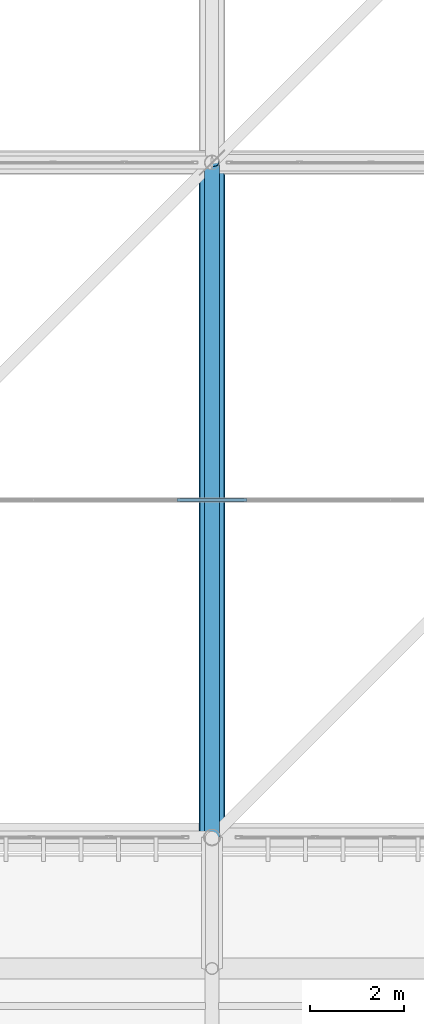
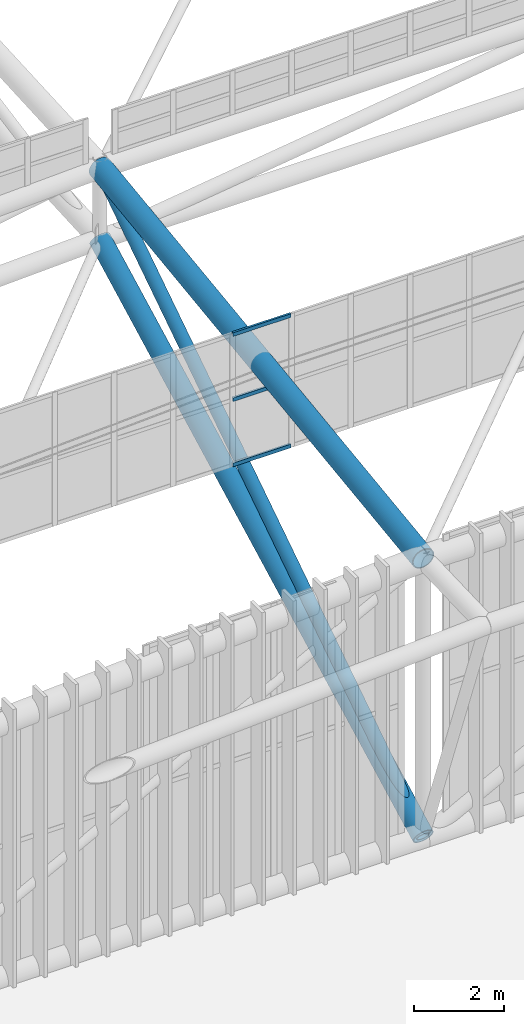
# One storey, part 41 of 397: 4 members, 2 beams, 1 element without a shape of its own.
"""IFC4 building model written with IfcOpenShell, lengths in metres."""

import ifcopenshell
import ifcopenshell.guid

model = None  # the IFC model being written
_history = None  # IfcOwnerHistory: only IFC2X3 demands one
_inside = {}  # id of a spatial element -> (the spatial element, [elements in it])
_under = {}  # id of a project, library or spatial element -> (it, [spatial elements below it])
_declared = {}  # id of a project -> (the project, [libraries it declares])
_typed = {}  # id of a type object -> (the type object, [elements of that type])
_made_of = {}  # id of a material, layer set ... -> (it, [elements and type objects made of it])


def new_model(schema):
    """Start an empty IFC model of exactly this schema.

    Asked for "IFC4X3", IfcOpenShell would pick the latest addendum, in which some entities
    have other attributes; the version numbers below select the first issue.
    IFC2X3 requires an IfcOwnerHistory on every rooted entity: one is made here for all.
    """
    global model, _history
    if schema == "IFC4X3":
        model = ifcopenshell.file(schema_version=(4, 3, 0, 0))
    else:
        model = ifcopenshell.file(schema=schema)
    _inside.clear()
    _under.clear()
    _declared.clear()
    _typed.clear()
    _made_of.clear()
    _history = None
    if model.schema == "IFC2X3":
        org = make("IfcOrganization", Name="unknown")
        user = make(
            "IfcPersonAndOrganization",
            ThePerson=make("IfcPerson", FamilyName="unknown"),
            TheOrganization=org,
        )
        app = make(
            "IfcApplication",
            ApplicationDeveloper=org,
            Version="unknown",
            ApplicationFullName="unknown",
            ApplicationIdentifier="unknown",
        )
        _history = make(
            "IfcOwnerHistory",
            OwningUser=user,
            OwningApplication=app,
            ChangeAction="ADDED",
            CreationDate=0,
        )
    return model


def make(cls, **values):
    """One entity of the class cls with the attributes given. An attribute that is None is left unset."""
    return model.create_entity(
        cls, **{name: value for name, value in values.items() if value is not None}
    )


def rooted(cls, **values):
    """An entity with a GlobalId (a new one), such as an element, a storey or a relation."""
    return make(cls, GlobalId=ifcopenshell.guid.new(), OwnerHistory=_history, **values)


def si_unit(unit_type, name, prefix=None):
    """IfcSIUnit, for example si_unit("LENGTHUNIT", "METRE", prefix="MILLI")."""
    return make("IfcSIUnit", UnitType=unit_type, Prefix=prefix, Name=name)


def assignment(units):
    """IfcUnitAssignment: the units of a project."""
    return None if units is None else make("IfcUnitAssignment", Units=units)


def point(xyz):
    """IfcCartesianPoint."""
    return None if xyz is None else make("IfcCartesianPoint", Coordinates=xyz)


def direction(xyz):
    """IfcDirection."""
    return None if xyz is None else make("IfcDirection", DirectionRatios=xyz)


def frame(location, z_axis=None, x_axis=None):
    """IfcAxis2Placement3D, a coordinate frame: its origin and axes. An axis left out is left unset."""
    return make(
        "IfcAxis2Placement3D",
        Location=point(location),
        Axis=direction(z_axis),
        RefDirection=direction(x_axis),
    )


def frame_2d(location, x_axis=None):
    """IfcAxis2Placement2D, a coordinate frame in the plane: its origin and x axis."""
    return make(
        "IfcAxis2Placement2D", Location=point(location), RefDirection=direction(x_axis)
    )


def origin():
    """The frame at (0, 0, 0) with its axes left unset."""
    return frame((0.0, 0.0, 0.0))


def origin_2d():
    """The frame at (0, 0) in the plane with its x axis left unset."""
    return frame_2d((0.0, 0.0))


def place(relative_to, where):
    """IfcLocalPlacement: puts the frame where relative to a parent placement (None: the world)."""
    return make(
        "IfcLocalPlacement", PlacementRelTo=relative_to, RelativePlacement=where
    )


def context(
    kind, dimensions, precision=None, world=None, true_north=None, identifier=None
):
    """IfcGeometricRepresentationContext, for example the 3D "Model" context."""
    return make(
        "IfcGeometricRepresentationContext",
        ContextIdentifier=identifier,
        ContextType=kind,
        CoordinateSpaceDimension=dimensions,
        Precision=precision,
        WorldCoordinateSystem=world,
        TrueNorth=true_north,
    )


def subcontext(parent, identifier, kind, view, scale=None):
    """IfcGeometricRepresentationSubContext, for example "Body" below "Model"."""
    return make(
        "IfcGeometricRepresentationSubContext",
        ContextIdentifier=identifier,
        ContextType=kind,
        ParentContext=parent,
        TargetScale=scale,
        TargetView=view,
    )


def project(units=None, contexts=None):
    """IfcProject with its units and contexts."""
    return rooted(
        "IfcProject",
        Name="project",
        RepresentationContexts=contexts,
        UnitsInContext=assignment(units),
    )


def spatial(cls, under=None, at=None, **own):
    """A site, building, storey or space (cls), placed at a placement, below another one or the project."""
    s = rooted(cls, ObjectPlacement=at, **own)
    if under is not None:
        _under.setdefault(under.id(), (under, []))[1].append(s)
    return s


def profile(cls, at=None, kind="AREA", **sizes):
    """A parametric profile (cls). Its sizes go by their IFC names, for example OverallWidth=200.0."""
    return make(cls, ProfileType=kind, Position=at, **sizes)


def hollow_rectangle(**sizes):
    """IfcRectangleHollowProfileDef."""
    return profile("IfcRectangleHollowProfileDef", **sizes)


def hollow_circle(**sizes):
    """IfcCircleHollowProfileDef."""
    return profile("IfcCircleHollowProfileDef", **sizes)


def extrude(swept, where, along, depth):
    """IfcExtrudedAreaSolid: the profile swept, set in the frame where, extruded along a direction by depth."""
    return make(
        "IfcExtrudedAreaSolid",
        SweptArea=swept,
        Position=where,
        ExtrudedDirection=direction(along),
        Depth=depth,
    )


def shape(context_of_items, identifier, shape_type, items):
    """IfcShapeRepresentation: the items that make up one representation, for example the "Body"."""
    return make(
        "IfcShapeRepresentation",
        ContextOfItems=context_of_items,
        RepresentationIdentifier=identifier,
        RepresentationType=shape_type,
        Items=items,
    )


def material(Name=None, Category=None):
    """IfcMaterial."""
    return make("IfcMaterial", Name=Name, Category=Category)


def material_profile(
    of_material, cross_section, Name=None, Category=None, Priority=None
):
    """IfcMaterialProfile: a cross section and its material."""
    return make(
        "IfcMaterialProfile",
        Name=Name,
        Material=of_material,
        Profile=cross_section,
        Priority=Priority,
        Category=Category,
    )


def profile_set(profiles, Name=None, composite=None):
    """IfcMaterialProfileSet."""
    return make(
        "IfcMaterialProfileSet",
        Name=Name,
        MaterialProfiles=profiles,
        CompositeProfile=composite,
    )


def made_of(thing, what):
    """Note that an element or type object is made of a material, layer set ...; save() writes the relation."""
    if what is not None:
        _made_of.setdefault(what.id(), (what, []))[1].append(thing)
    return thing


def type_object(cls, material=None, **own):
    """A type object (cls), such as IfcWallType, which elements share."""
    return made_of(rooted(cls, **own), material)


def element(
    cls,
    number,
    at=None,
    inside=None,
    cuts=None,
    type_object=None,
    material=None,
    context=None,
    identifier="Body",
    shape_type=None,
    held_by="IfcProductDefinitionShape",
    body=None,
    shapes=None,
    **own,
):
    """One element of the class cls, such as IfcWall. Its Tag is "e" and its number.

    at: its placement. inside: the storey or other place that contains it. cuts: it is an
    opening in that element (IfcRelVoidsElement). A single representation is given by context,
    identifier, shape_type and body (its items); several are given by shapes. held_by: the class
    of the entity that holds the representations. save() writes the other relations.
    """
    e = rooted(cls, Tag="e%d" % number, ObjectPlacement=at, **own)
    if body is not None:
        shapes = [shape(context, identifier, shape_type, body)]
    if shapes is not None:
        e.Representation = make(held_by, Representations=shapes)
    if inside is not None:
        _inside.setdefault(inside.id(), (inside, []))[1].append(e)
    if cuts is not None:
        rooted(
            "IfcRelVoidsElement", RelatingBuildingElement=cuts, RelatedOpeningElement=e
        )
    if type_object is not None:
        _typed.setdefault(type_object.id(), (type_object, []))[1].append(e)
    return made_of(e, material)


def aggregate(whole, parts):
    """IfcRelAggregates: a whole, such as a stair, and the parts it consists of."""
    return rooted("IfcRelAggregates", RelatingObject=whole, RelatedObjects=parts)


def save(model, path):
    """Write the relations noted so far, then the file.

    IfcRelAggregates (storeys below a building ...), IfcRelContainedInSpatialStructure (elements
    in a storey), IfcRelDefinesByType, IfcRelAssociatesMaterial and IfcRelDeclares: one each for
    every whole, place, type object, material and project.
    """
    for whole, parts in _under.values():
        aggregate(whole, parts)
    for where, things in _inside.values():
        rooted(
            "IfcRelContainedInSpatialStructure",
            RelatedElements=things,
            RelatingStructure=where,
        )
    for kind, things in _typed.values():
        rooted("IfcRelDefinesByType", RelatedObjects=things, RelatingType=kind)
    for what, things in _made_of.values():
        rooted("IfcRelAssociatesMaterial", RelatedObjects=things, RelatingMaterial=what)
    for by, libraries in _declared.values():
        rooted("IfcRelDeclares", RelatingContext=by, RelatedDefinitions=libraries)
    model.write(path)


model = new_model("IFC4")

# Units and contexts
model_context = context("Model", 3, precision=1e-05, world=origin(), true_north=direction((0.0, 1.0)))
body_context = subcontext(model_context, "Body", "Model", "MODEL_VIEW")
ifc_project = project(units=[si_unit("LENGTHUNIT", "METRE"), si_unit("AREAUNIT", "SQUARE_METRE"), si_unit("VOLUMEUNIT", "CUBIC_METRE"), si_unit("PLANEANGLEUNIT", "RADIAN"), si_unit("MASSUNIT", "GRAM", prefix="KILO")], contexts=[model_context])

# Site, building, storey
site_placement = place(None, origin())
site = spatial("IfcSite", under=ifc_project, at=site_placement, CompositionType="ELEMENT")
building_placement = place(site_placement, origin())
building = spatial("IfcBuilding", under=site, at=building_placement, Name="Qandorah Velis Arena", CompositionType="ELEMENT")
storey_placement = place(building_placement, frame((0.0, 0.0, 27.5)))
storey = spatial("IfcBuildingStorey", under=building, at=storey_placement, Name="RF", CompositionType="ELEMENT", Elevation=27.5)

# Curtain wall, members
ifc_material_1 = material(Name="Solar-control low-E double glazing", Category="glass")
curtain_wall_type = type_object("IfcCurtainWallType", Name="ARC-CW-SYS21", PredefinedType="USERDEFINED", material=ifc_material_1)
curtain_wall_placement = place(storey_placement, origin())
curtain_wall = element("IfcCurtainWall", 1, at=curtain_wall_placement, inside=storey, type_object=curtain_wall_type, Name="Unitised curtain wall MON-3-3", ObjectType="UNITISED CURTAIN WALL", PredefinedType="USERDEFINED")
ifc_material_2 = material(Name="Champagne-bronze anodized aluminium 6063-T6", Category="aluminium")
ifc_material_profile_1 = material_profile(ifc_material_2, hollow_rectangle(XDim=0.054931640625, YDim=0.10009765625, WallThickness=0.0029296875, at=origin_2d()), Name="ALU TRANSOM 55x100")
ifc_profile_set_1 = profile_set([ifc_material_profile_1], Name="Champagne-bronze anodized aluminium 6063-T6")
member_type_1 = type_object("IfcMemberType", Name="ARC-CWT-100", PredefinedType="USERDEFINED", material=ifc_profile_set_1)
member_1_placement = place(storey_placement, frame((56.8544921875, 21.60009765625, 6.107177734375), z_axis=(1.0, 0.0, 0.0), x_axis=(0.0, 1.0, 0.0)))
member_1 = element("IfcMember", 2, at=member_1_placement, type_object=member_type_1, Name="CW21 transom 5.1", ObjectType="TRANSOM", PredefinedType="USERDEFINED", context=body_context, shape_type="SweptSolid", body=[
    extrude(hollow_rectangle(XDim=0.054931640625, YDim=0.10009765625, WallThickness=0.0029296875, at=origin_2d()), origin(), (0.0, 0.0, 1.0), 1.4912109375),
])
member_2_placement = place(storey_placement, frame((56.8544921875, 21.60009765625, 7.879638671875), z_axis=(1.0, 0.0, 0.0), x_axis=(0.0, 1.0, 0.0)))
member_2 = element("IfcMember", 3, at=member_2_placement, type_object=member_type_1, Name="CW21 transom 5.2", ObjectType="TRANSOM", PredefinedType="USERDEFINED", context=body_context, shape_type="SweptSolid", body=[
    extrude(hollow_rectangle(XDim=0.054931640625, YDim=0.10009765625, WallThickness=0.0029296875, at=origin_2d()), origin(), (0.0, 0.0, 1.0), 1.4912109375),
])
member_3_placement = place(storey_placement, frame((56.8544921875, 21.60009765625, 9.652099609375), z_axis=(1.0, 0.0, 0.0), x_axis=(0.0, 1.0, 0.0)))
member_3 = element("IfcMember", 4, at=member_3_placement, type_object=member_type_1, Name="CW21 transom 5.3", ObjectType="TRANSOM", PredefinedType="USERDEFINED", context=body_context, shape_type="SweptSolid", body=[
    extrude(hollow_rectangle(XDim=0.054931640625, YDim=0.10009765625, WallThickness=0.0029296875, at=origin_2d()), origin(), (0.0, 0.0, 1.0), 1.4912109375),
])
aggregate(curtain_wall, [member_1, member_2, member_3])

# Beams
ifc_material_3 = material(Name="Steel S355", Category="steel")
ifc_material_profile_2 = material_profile(ifc_material_3, hollow_circle(Radius=0.25390625, WallThickness=0.02490234375, at=origin_2d()), Name="CHS 508x25")
ifc_profile_set_2 = profile_set([ifc_material_profile_2], Name="Steel S355")
beam_type_1 = type_object("IfcBeamType", Name="STR-SFC-CHS508X25", PredefinedType="USERDEFINED", material=ifc_profile_set_2)
beam_1_placement = place(storey_placement, frame((57.60009765625, 14.39990234375, 0.10009765625), z_axis=(0.0, 0.886583238071, 0.462569088863), x_axis=(-1.0, 0.0, 0.0)))
element("IfcBeam", 5, at=beam_1_placement, inside=storey, type_object=beam_type_1, Name="Space frame roof truss bottom chord Y 3.0", ObjectType="ROOF TRUSS", PredefinedType="USERDEFINED", context=body_context, shape_type="SweptSolid", body=[
    extrude(hollow_circle(Radius=0.25390625, WallThickness=0.02490234375, at=origin_2d()), origin(), (0.0, 0.0, 1.0), 16.2421875),
])
ifc_material_profile_3 = material_profile(ifc_material_3, hollow_circle(Radius=0.279541015625, WallThickness=0.02490234375, at=origin_2d()), Name="CHS 559x25")
ifc_profile_set_3 = profile_set([ifc_material_profile_3], Name="Steel S355")
beam_type_2 = type_object("IfcBeamType", Name="STR-SFC-CHS559X25", PredefinedType="USERDEFINED", material=ifc_profile_set_3)
beam_2_placement = place(storey_placement, frame((57.60009765625, 14.39990234375, 7.65576171875), z_axis=(0.0, 0.991340710822, 0.13131486994), x_axis=(-1.0, 0.0, 0.0)))
element("IfcBeam", 6, at=beam_2_placement, inside=storey, type_object=beam_type_2, Name="Space frame roof truss top chord Y 3.0", ObjectType="ROOF TRUSS", PredefinedType="USERDEFINED", context=body_context, shape_type="SweptSolid", body=[
    extrude(hollow_circle(Radius=0.279541015625, WallThickness=0.02490234375, at=origin_2d()), origin(), (0.0, 0.0, 1.0), 14.52587890625),
])

# Member
ifc_material_profile_4 = material_profile(ifc_material_3, hollow_circle(Radius=0.161865234375, WallThickness=0.01611328125, at=origin_2d()), Name="CHS 323.9x16")
ifc_profile_set_4 = profile_set([ifc_material_profile_4], Name="Steel S355")
member_type_2 = type_object("IfcMemberType", Name="STR-SFD-CHS323X16", PredefinedType="CHORD", material=ifc_profile_set_4)
member_4_placement = place(storey_placement, frame((57.60009765625, 14.39990234375, 0.10009765625), z_axis=(0.0, 0.835700649131, 0.549185237458), x_axis=(-1.0, 0.0, 0.0)))
element("IfcMember", 7, at=member_4_placement, inside=storey, type_object=member_type_2, Name="Space frame roof diagonal Y 3.0", PredefinedType="CHORD", context=body_context, shape_type="SweptSolid", body=[
    extrude(hollow_circle(Radius=0.161865234375, WallThickness=0.01611328125, at=origin_2d()), origin(), (0.0, 0.0, 1.0), 17.231201171875),
])

save(model, "model.ifc")
